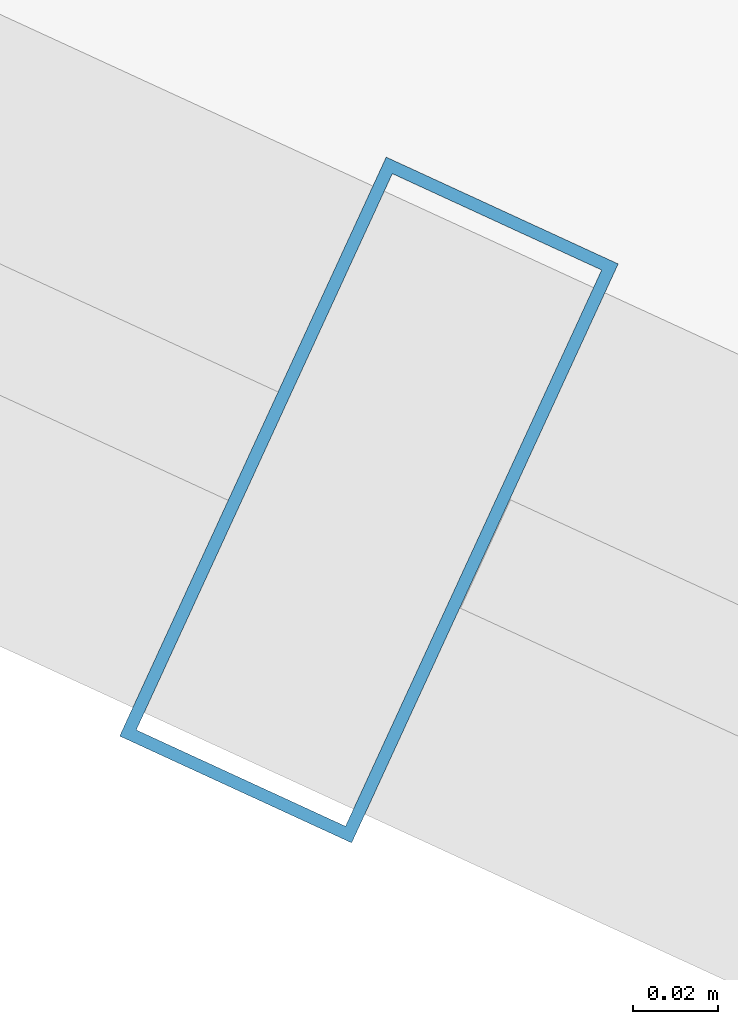
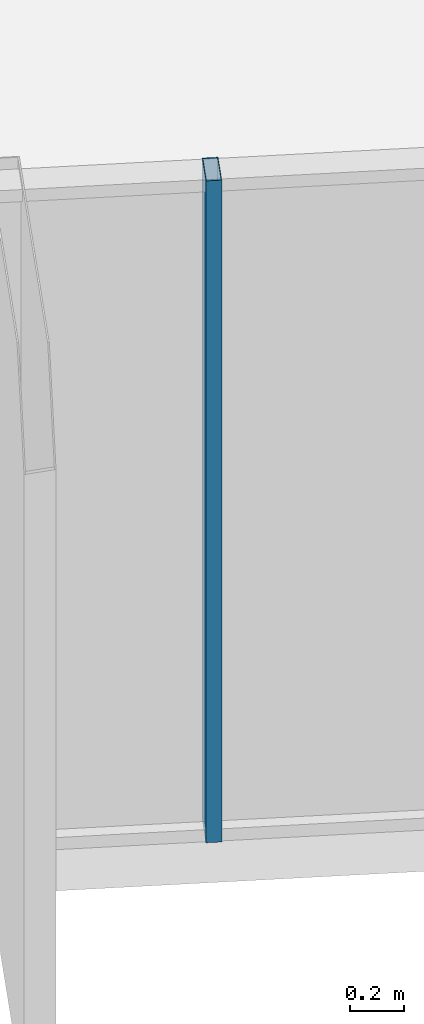
# One storey, part 4 of 32: 1 member, 1 element without a shape of its own.
"""IFC4 building model written with IfcOpenShell, lengths in metres."""

from ifc_helpers import new_model, si_unit, direction, frame, origin, origin_2d, place, context, subcontext, project, spatial, hollow_rectangle, extrude, source, transform, mapped, material, layer, layer_set, material_profile, profile_set, type_object, element, aggregate, save


model = new_model("IFC4")

# Units and contexts
model_context = context("Model", 3, precision=1e-05, world=origin(), true_north=direction((0.0, 1.0)))
body_context = subcontext(model_context, "Body", "Model", "MODEL_VIEW")
ifc_project = project(units=[si_unit("LENGTHUNIT", "METRE"), si_unit("AREAUNIT", "SQUARE_METRE"), si_unit("VOLUMEUNIT", "CUBIC_METRE"), si_unit("PLANEANGLEUNIT", "RADIAN"), si_unit("MASSUNIT", "GRAM", prefix="KILO")], contexts=[model_context])

# Site, building, storey
site_placement = place(None, origin())
site = spatial("IfcSite", under=ifc_project, at=site_placement, CompositionType="ELEMENT")
building_placement = place(site_placement, origin())
building = spatial("IfcBuilding", under=site, at=building_placement, Name="Veraguas Prism Commons", CompositionType="ELEMENT")
storey_placement = place(building_placement, frame((0.0, 0.0, 188.60009765625)))
storey = spatial("IfcBuildingStorey", under=building, at=storey_placement, Name="L53", CompositionType="ELEMENT", Elevation=188.60009765625)

# Curtain wall, member
ifc_material = material(Name="Anodised aluminium EN AW-6063 T6", Category="aluminium")
ifc_layer = layer(ifc_material, 0.14990234375, Name="Unitised Flush Curtain Wall Zone 3", Category="aluminium")
ifc_layer_set = layer_set([ifc_layer], Name="Anodised aluminium EN AW-6063 T6")
curtain_wall_type = type_object("IfcCurtainWallType", Name="Unitised Flush Curtain Wall Zone 3", PredefinedType="NOTDEFINED", material=ifc_layer_set)
curtain_wall_placement = place(storey_placement, origin())
curtain_wall = element("IfcCurtainWall", 1, at=curtain_wall_placement, inside=storey, type_object=curtain_wall_type, Name="Tower Facade Curtain Wall L53-F4", PredefinedType="NOTDEFINED")
ifc_material_profile = material_profile(ifc_material, hollow_rectangle(XDim=0.06005859375, YDim=0.14990234375, WallThickness=0.0029296875, at=origin_2d()), Name="AL60X150X3")
ifc_profile_set = profile_set([ifc_material_profile], Name="Anodised aluminium EN AW-6063 T6")
member_type = type_object("IfcMemberType", Name="Curtain Wall Mullion Upper AL 60x150x3", PredefinedType="MULLION", material=ifc_profile_set)
shared_shape = source(origin(), body_context, "Body", "SweptSolid", [
    extrude(hollow_rectangle(XDim=0.06005859375, YDim=0.14990234375, WallThickness=0.0029296875, at=origin_2d()), origin(), (0.0, 0.0, 1.0), 3.014892578125),
])
member_placement = place(storey_placement, frame((20.205078125, 6.250244140625, 0.0), z_axis=(0.0, 0.0, 1.0), x_axis=(0.908361529184, -0.418185762907, 0.0)))
member = element("IfcMember", 2, at=member_placement, type_object=member_type, Name="CW-Z3 Mullion 4", PredefinedType="MULLION", context=body_context, shape_type="MappedRepresentation", body=[
    mapped(shared_shape, transform((0.0, 0.0, 0.0), scale=1.0)),
])
aggregate(curtain_wall, [member])

save(model, "model.ifc")
